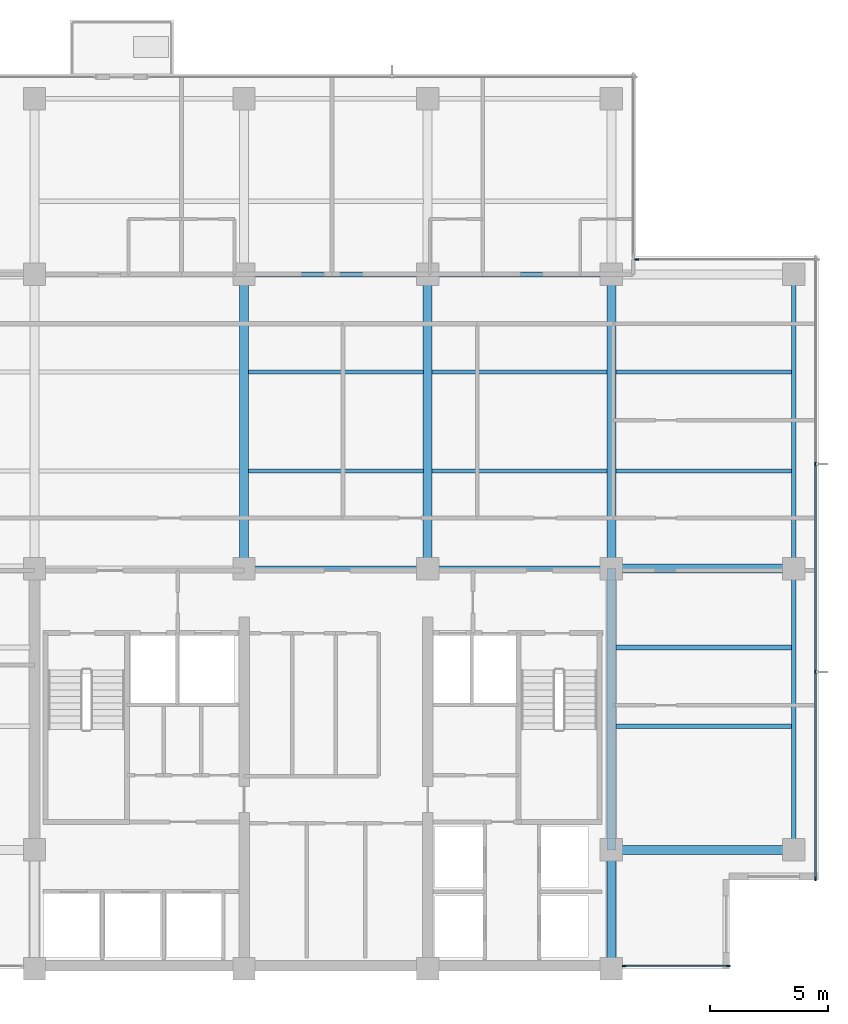
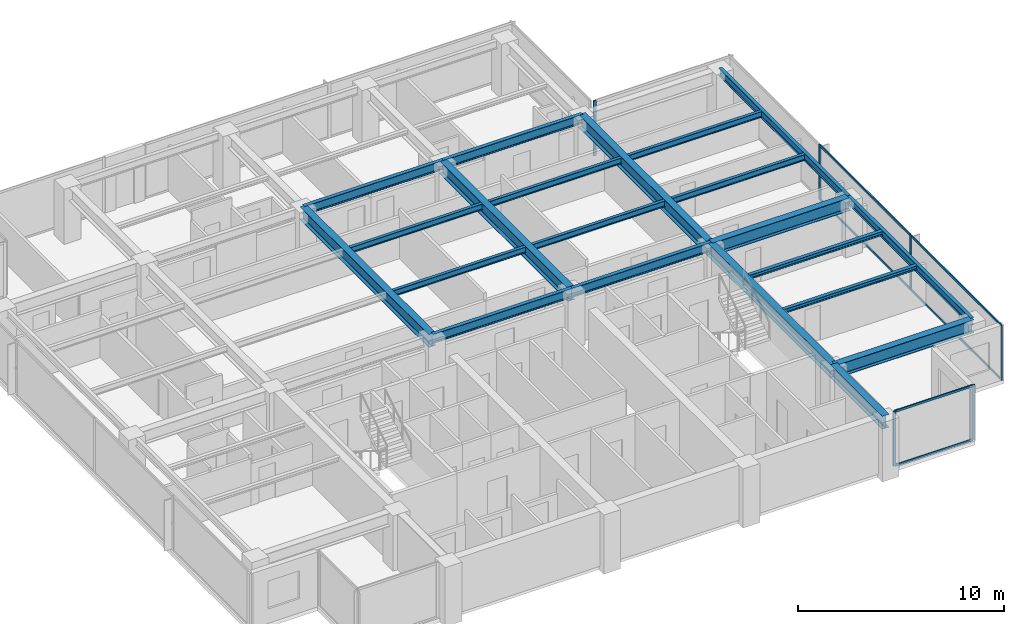
# One storey, part 3 of 14: 21 beams, 12 members, 3 elements without a shape of their own.
"""IFC4 building model written with IfcOpenShell, lengths in metres."""

from ifc_helpers import new_model, si_unit, direction, frame, origin, origin_2d, place, context, subcontext, project, spatial, rectangle, i_section, extrude, material, layer, layer_set, material_profile, profile_set, type_object, element, aggregate, save


model = new_model("IFC4")

# Units and contexts
model_context = context("Model", 3, precision=1e-05, world=origin(), true_north=direction((0.0, 1.0)))
body_context = subcontext(model_context, "Body", "Model", "MODEL_VIEW")
ifc_project = project(units=[si_unit("LENGTHUNIT", "METRE"), si_unit("AREAUNIT", "SQUARE_METRE"), si_unit("VOLUMEUNIT", "CUBIC_METRE"), si_unit("PLANEANGLEUNIT", "RADIAN"), si_unit("MASSUNIT", "GRAM", prefix="KILO")], contexts=[model_context])

# Site, building, storey
site_placement = place(None, origin())
site = spatial("IfcSite", under=ifc_project, at=site_placement, CompositionType="ELEMENT")
building_placement = place(site_placement, origin())
building = spatial("IfcBuilding", under=site, at=building_placement, Name="Qalmaran Belvedere Hotel", CompositionType="ELEMENT")
storey_placement = place(building_placement, frame((0.0, 0.0, 228.39990234375)))
storey = spatial("IfcBuildingStorey", under=building, at=storey_placement, Name="L58", CompositionType="ELEMENT", Elevation=228.39990234375)

# Beams
ifc_material_1 = material(Name="Steel S355JR", Category="steel")
ifc_material_profile_1 = material_profile(ifc_material_1, i_section(OverallWidth=0.201904296875, OverallDepth=0.2470703125, WebThickness=0.00732421875, FlangeThickness=0.010986328125, FilletRadius=0.011962890625, at=origin_2d()), Name="W250X49")
ifc_profile_set_1 = profile_set([ifc_material_profile_1], Name="Steel S355JR")
beam_type_1 = type_object("IfcBeamType", Name="BM-JST-W250X49", PredefinedType="JOIST", material=ifc_profile_set_1)
for number, where, z_axis, x_axis, name in (
    (1, (44.988525390625, 13.800048828125, 3.13671875), (1.0, 0.0, 0.0), (0.0, 1.0, 0.0), "L58 East Wing Joist 039"),
    (2, (44.988525390625, 17.14990234375, 3.13671875), (1.0, 0.0, 0.0), (0.0, 1.0, 0.0), "L58 East Wing Joist 041"),
):
    element("IfcBeam", number, at=place(storey_placement, frame(where, z_axis=z_axis, x_axis=x_axis)), inside=storey, type_object=beam_type_1, Name=name, PredefinedType="JOIST", context=body_context, shape_type="SweptSolid", body=[
        extrude(i_section(OverallWidth=0.201904296875, OverallDepth=0.2470703125, WebThickness=0.00732421875, FlangeThickness=0.010986328125, FilletRadius=0.011962890625, at=origin_2d()), origin(), (0.0, 0.0, 1.0), 7.467529296875),
    ])
ifc_material_profile_2 = material_profile(ifc_material_1, i_section(OverallWidth=0.381103515625, OverallDepth=0.77294921875, WebThickness=0.0166015625, FlangeThickness=0.027099609375, FilletRadius=0.02197265625, at=origin_2d()), Name="W760X257")
ifc_profile_set_2 = profile_set([ifc_material_profile_2], Name="Steel S355JR")
beam_type_2 = type_object("IfcBeamType", Name="BM-PG4-W760X257", PredefinedType="USERDEFINED", material=ifc_profile_set_2)
for number, where, z_axis, x_axis, name in (
    (3, (29.199951171875, 20.5, 2.87353515625), (0.0, 1.0, 0.0), (-1.0, 0.0, 0.0), "L58 Mid-Plate N-S Girder 16"),
    (4, (37.0, 20.5, 2.87353515625), (0.0, 1.0, 0.0), (-1.0, 0.0, 0.0), "L58 Mid-Plate N-S Girder 18"),
    (5, (44.800048828125, 20.5, 2.87353515625), (0.0, 1.0, 0.0), (-1.0, 0.0, 0.0), "L58 Mid-Plate N-S Girder 20"),
):
    element("IfcBeam", number, at=place(storey_placement, frame(where, z_axis=z_axis, x_axis=x_axis)), inside=storey, type_object=beam_type_2, Name=name, ObjectType="GIRDER", PredefinedType="USERDEFINED", context=body_context, shape_type="SweptSolid", body=[
        extrude(i_section(OverallWidth=0.381103515625, OverallDepth=0.77294921875, WebThickness=0.0166015625, FlangeThickness=0.027099609375, FilletRadius=0.02197265625, at=origin_2d()), origin(), (0.0, 0.0, 1.0), 12.5),
    ])
beam_1_placement = place(storey_placement, frame((44.800048828125, 3.5, 2.87353515625), z_axis=(0.0, 1.0, 0.0), x_axis=(-1.0, 0.0, 0.0)))
element("IfcBeam", 6, at=beam_1_placement, inside=storey, type_object=beam_type_2, Name="L58 East Core Edge Girder A", ObjectType="GIRDER", PredefinedType="USERDEFINED", context=body_context, shape_type="SweptSolid", body=[
    extrude(i_section(OverallWidth=0.381103515625, OverallDepth=0.77294921875, WebThickness=0.0166015625, FlangeThickness=0.027099609375, FilletRadius=0.02197265625, at=origin_2d()), origin(), (0.0, 0.0, 1.0), 5.050048828125),
])
beam_2_placement = place(storey_placement, frame((44.800048828125, 8.550048828125, 2.87353515625), z_axis=(0.0, 1.0, 0.0), x_axis=(-1.0, 0.0, 0.0)))
element("IfcBeam", 7, at=beam_2_placement, inside=storey, type_object=beam_type_2, Name="L58 East Core Edge Girder B", ObjectType="GIRDER", PredefinedType="USERDEFINED", context=body_context, shape_type="SweptSolid", body=[
    extrude(i_section(OverallWidth=0.381103515625, OverallDepth=0.77294921875, WebThickness=0.0166015625, FlangeThickness=0.027099609375, FilletRadius=0.02197265625, at=origin_2d()), origin(), (0.0, 0.0, 1.0), 11.949951171875),
])
for number, where, z_axis, x_axis, name in (
    (8, (44.800048828125, 8.550048828125, 2.87353515625), (1.0, 0.0, 0.0), (0.0, 1.0, 0.0), "L58 East Wing Girder 25"),
    (9, (44.800048828125, 20.5, 2.87353515625), (1.0, 0.0, 0.0), (0.0, 1.0, 0.0), "L58 East Wing Girder 26"),
):
    element("IfcBeam", number, at=place(storey_placement, frame(where, z_axis=z_axis, x_axis=x_axis)), inside=storey, type_object=beam_type_2, Name=name, ObjectType="GIRDER", PredefinedType="USERDEFINED", context=body_context, shape_type="SweptSolid", body=[
        extrude(i_section(OverallWidth=0.381103515625, OverallDepth=0.77294921875, WebThickness=0.0166015625, FlangeThickness=0.027099609375, FilletRadius=0.02197265625, at=origin_2d()), origin(), (0.0, 0.0, 1.0), 7.75),
    ])
ifc_material_profile_3 = material_profile(ifc_material_1, i_section(OverallWidth=0.172119140625, OverallDepth=0.35791015625, WebThickness=0.0078125, FlangeThickness=0.01318359375, FilletRadius=0.014892578125, at=origin_2d()), Name="W360X57")
ifc_profile_set_3 = profile_set([ifc_material_profile_3], Name="Steel S355JR")
beam_type_3 = type_object("IfcBeamType", Name="BM-SB4-W360X57", PredefinedType="BEAM", material=ifc_profile_set_3)
for number, where, z_axis, x_axis, name in (
    (10, (29.388427734375, 24.64990234375, 3.0810546875), (1.0, 0.0, 0.0), (0.0, 1.0, 0.0), "L58 Secondary Floor Beam 030"),
    (11, (37.1884765625, 24.64990234375, 3.0810546875), (1.0, 0.0, 0.0), (0.0, 1.0, 0.0), "L58 Secondary Floor Beam 031"),
):
    element("IfcBeam", number, at=place(storey_placement, frame(where, z_axis=z_axis, x_axis=x_axis)), inside=storey, type_object=beam_type_3, Name=name, PredefinedType="BEAM", context=body_context, shape_type="SweptSolid", body=[
        extrude(i_section(OverallWidth=0.172119140625, OverallDepth=0.35791015625, WebThickness=0.0078125, FlangeThickness=0.01318359375, FilletRadius=0.014892578125, at=origin_2d()), origin(), (0.0, 0.0, 1.0), 7.423095703125),
    ])
beam_3_placement = place(storey_placement, frame((44.988525390625, 24.64990234375, 3.0810546875), z_axis=(1.0, 0.0, 0.0), x_axis=(0.0, 1.0, 0.0)))
element("IfcBeam", 12, at=beam_3_placement, inside=storey, type_object=beam_type_3, Name="L58 East Secondary Beam 032", PredefinedType="BEAM", context=body_context, shape_type="SweptSolid", body=[
    extrude(i_section(OverallWidth=0.172119140625, OverallDepth=0.35791015625, WebThickness=0.0078125, FlangeThickness=0.01318359375, FilletRadius=0.014892578125, at=origin_2d()), origin(), (0.0, 0.0, 1.0), 7.467529296875),
])
for number, where, z_axis, x_axis, name in (
    (13, (29.388427734375, 28.85009765625, 3.0810546875), (1.0, 0.0, 0.0), (0.0, 1.0, 0.0), "L58 Secondary Floor Beam 035"),
    (14, (37.1884765625, 28.85009765625, 3.0810546875), (1.0, 0.0, 0.0), (0.0, 1.0, 0.0), "L58 Secondary Floor Beam 036"),
):
    element("IfcBeam", number, at=place(storey_placement, frame(where, z_axis=z_axis, x_axis=x_axis)), inside=storey, type_object=beam_type_3, Name=name, PredefinedType="BEAM", context=body_context, shape_type="SweptSolid", body=[
        extrude(i_section(OverallWidth=0.172119140625, OverallDepth=0.35791015625, WebThickness=0.0078125, FlangeThickness=0.01318359375, FilletRadius=0.014892578125, at=origin_2d()), origin(), (0.0, 0.0, 1.0), 7.423095703125),
    ])
beam_4_placement = place(storey_placement, frame((44.988525390625, 28.85009765625, 3.0810546875), z_axis=(1.0, 0.0, 0.0), x_axis=(0.0, 1.0, 0.0)))
element("IfcBeam", 15, at=beam_4_placement, inside=storey, type_object=beam_type_3, Name="L58 East Secondary Beam 037", PredefinedType="BEAM", context=body_context, shape_type="SweptSolid", body=[
    extrude(i_section(OverallWidth=0.172119140625, OverallDepth=0.35791015625, WebThickness=0.0078125, FlangeThickness=0.01318359375, FilletRadius=0.014892578125, at=origin_2d()), origin(), (0.0, 0.0, 1.0), 7.467529296875),
])
ifc_material_profile_4 = material_profile(ifc_material_1, i_section(OverallWidth=0.19189453125, OverallDepth=0.462890625, WebThickness=0.010498046875, FlangeThickness=0.017578125, FilletRadius=0.01611328125, at=origin_2d()), Name="W460X89")
ifc_profile_set_4 = profile_set([ifc_material_profile_4], Name="Steel S355JR")
beam_type_4 = type_object("IfcBeamType", Name="BM-SP2-W460X89", PredefinedType="SPANDREL", material=ifc_profile_set_4)
beam_5_placement = place(storey_placement, frame((52.550048828125, 8.550048828125, 3.028564453125), z_axis=(0.0, 1.0, 0.0), x_axis=(-1.0, 0.0, 0.0)))
element("IfcBeam", 16, at=beam_5_placement, inside=storey, type_object=beam_type_4, Name="L58 Perimeter Spandrel 03", PredefinedType="SPANDREL", context=body_context, shape_type="SweptSolid", body=[
    extrude(i_section(OverallWidth=0.19189453125, OverallDepth=0.462890625, WebThickness=0.010498046875, FlangeThickness=0.017578125, FilletRadius=0.01611328125, at=origin_2d()), origin(), (0.0, 0.0, 1.0), 11.949951171875),
])
beam_6_placement = place(storey_placement, frame((52.550048828125, 20.5, 3.028564453125), z_axis=(0.0, 1.0, 0.0), x_axis=(-1.0, 0.0, 0.0)))
element("IfcBeam", 17, at=beam_6_placement, inside=storey, type_object=beam_type_4, Name="L58 Perimeter Spandrel 04", PredefinedType="SPANDREL", context=body_context, shape_type="SweptSolid", body=[
    extrude(i_section(OverallWidth=0.19189453125, OverallDepth=0.462890625, WebThickness=0.010498046875, FlangeThickness=0.017578125, FilletRadius=0.01611328125, at=origin_2d()), origin(), (0.0, 0.0, 1.0), 12.5),
])
ifc_material_profile_5 = material_profile(ifc_material_1, i_section(OverallWidth=0.2109375, OverallDepth=0.5390625, WebThickness=0.01171875, FlangeThickness=0.018798828125, FilletRadius=0.01806640625, at=origin_2d()), Name="W530X109")
ifc_profile_set_5 = profile_set([ifc_material_profile_5], Name="Steel S355JR")
beam_type_5 = type_object("IfcBeamType", Name="BM-Z4-W530X109", PredefinedType="USERDEFINED", material=ifc_profile_set_5)
for number, where, z_axis, x_axis, name in (
    (18, (29.199951171875, 20.5, 2.990478515625), (1.0, 0.0, 0.0), (0.0, 1.0, 0.0), "L58 Interior E-W Girder 09"),
    (19, (37.0, 20.5, 2.990478515625), (1.0, 0.0, 0.0), (0.0, 1.0, 0.0), "L58 Interior E-W Girder 10"),
    (20, (29.199951171875, 33.0, 2.990478515625), (1.0, 0.0, 0.0), (0.0, 1.0, 0.0), "L58 Interior E-W Girder 12"),
    (21, (37.0, 33.0, 2.990478515625), (1.0, 0.0, 0.0), (0.0, 1.0, 0.0), "L58 Interior E-W Girder 13"),
):
    element("IfcBeam", number, at=place(storey_placement, frame(where, z_axis=z_axis, x_axis=x_axis)), inside=storey, type_object=beam_type_5, Name=name, ObjectType="GIRDER", PredefinedType="USERDEFINED", context=body_context, shape_type="SweptSolid", body=[
        extrude(i_section(OverallWidth=0.2109375, OverallDepth=0.5390625, WebThickness=0.01171875, FlangeThickness=0.018798828125, FilletRadius=0.01806640625, at=origin_2d()), origin(), (0.0, 0.0, 1.0), 7.800048828125),
    ])

# Curtain wall, members
ifc_material_2 = material(Name="Anodised Bronze Aluminium", Category="aluminium")
ifc_layer = layer(ifc_material_2, 0.18994140625, Name="Anodised Bronze Aluminium")
ifc_layer_set = layer_set([ifc_layer], Name="Anodised Bronze Aluminium")
curtain_wall_type = type_object("IfcCurtainWallType", Name="CW5-TOWER-UPPER", PredefinedType="NOTDEFINED", material=ifc_layer_set)
curtain_wall_1_placement = place(storey_placement, origin())
curtain_wall_1 = element("IfcCurtainWall", 22, at=curtain_wall_1_placement, inside=storey, type_object=curtain_wall_type, Name="L58 Curtain Wall CW5", PredefinedType="NOTDEFINED")
ifc_material_profile_6 = material_profile(ifc_material_2, rectangle(XDim=0.06494140625, YDim=0.1650390625, at=origin_2d()), Name="CWM65X165")
ifc_profile_set_6 = profile_set([ifc_material_profile_6], Name="Anodised Bronze Aluminium")
member_type_1 = type_object("IfcMemberType", Name="CWM-65X165", PredefinedType="MULLION", material=ifc_profile_set_6)
member_1_placement = place(storey_placement, frame((45.347412109375, 3.6201171875, 0.0), z_axis=(0.0, 0.0, 1.0), x_axis=(0.0, 1.0, 0.0)))
member_1 = element("IfcMember", 23, at=member_1_placement, type_object=member_type_1, Name="CW5 mullion 1", PredefinedType="MULLION", context=body_context, shape_type="SweptSolid", body=[
    extrude(rectangle(XDim=0.06494140625, YDim=0.1650390625, at=origin_2d()), origin(), (0.0, 0.0, 1.0), 3.260009765625),
])
member_2_placement = place(storey_placement, frame((49.767578125, 3.6201171875, 0.0), z_axis=(0.0, 0.0, 1.0), x_axis=(0.0, 1.0, 0.0)))
member_2 = element("IfcMember", 24, at=member_2_placement, type_object=member_type_1, Name="CW5 mullion 2", PredefinedType="MULLION", context=body_context, shape_type="SweptSolid", body=[
    extrude(rectangle(XDim=0.06494140625, YDim=0.1650390625, at=origin_2d()), origin(), (0.0, 0.0, 1.0), 3.260009765625),
])

curtain_wall_2_placement = place(storey_placement, origin())
curtain_wall_2 = element("IfcCurtainWall", 25, at=curtain_wall_2_placement, inside=storey, type_object=curtain_wall_type, Name="L58 Curtain Wall CW5", PredefinedType="NOTDEFINED")
member_3_placement = place(storey_placement, frame((53.47998046875, 7.33251953125, 0.0), z_axis=(0.0, 0.0, 1.0), x_axis=(-1.0, 0.0, 0.0)))
member_3 = element("IfcMember", 26, at=member_3_placement, type_object=member_type_1, Name="CW5 mullion 1", PredefinedType="MULLION", context=body_context, shape_type="SweptSolid", body=[
    extrude(rectangle(XDim=0.06494140625, YDim=0.1650390625, at=origin_2d()), origin(), (0.0, 0.0, 1.0), 3.260009765625),
])
member_4_placement = place(storey_placement, frame((53.47998046875, 16.11669921875, 0.0), z_axis=(0.0, 0.0, 1.0), x_axis=(-1.0, 0.0, 0.0)))
member_4 = element("IfcMember", 27, at=member_4_placement, type_object=member_type_1, Name="CW5 mullion 2", PredefinedType="MULLION", context=body_context, shape_type="SweptSolid", body=[
    extrude(rectangle(XDim=0.06494140625, YDim=0.1650390625, at=origin_2d()), origin(), (0.0, 0.0, 1.0), 3.260009765625),
])
member_5_placement = place(storey_placement, frame((53.47998046875, 24.933349609375, 0.0), z_axis=(0.0, 0.0, 1.0), x_axis=(-1.0, 0.0, 0.0)))
member_5 = element("IfcMember", 28, at=member_5_placement, type_object=member_type_1, Name="CW5 mullion 3", PredefinedType="MULLION", context=body_context, shape_type="SweptSolid", body=[
    extrude(rectangle(XDim=0.06494140625, YDim=0.1650390625, at=origin_2d()), origin(), (0.0, 0.0, 1.0), 3.260009765625),
])

# Curtain wall, member
curtain_wall_3_placement = place(storey_placement, origin())
curtain_wall_3 = element("IfcCurtainWall", 29, at=curtain_wall_3_placement, inside=storey, type_object=curtain_wall_type, Name="L58 Curtain Wall CW5", PredefinedType="NOTDEFINED")
member_6_placement = place(storey_placement, frame((45.882568359375, 33.6298828125, 0.0), z_axis=(0.0, 0.0, 1.0), x_axis=(0.0, -1.0, 0.0)))
member_6 = element("IfcMember", 30, at=member_6_placement, type_object=member_type_1, Name="CW5 mullion 2", PredefinedType="MULLION", context=body_context, shape_type="SweptSolid", body=[
    extrude(rectangle(XDim=0.06494140625, YDim=0.1650390625, at=origin_2d()), origin(), (0.0, 0.0, 1.0), 3.260009765625),
])
aggregate(curtain_wall_3, [member_6])

# Member
ifc_material_profile_7 = material_profile(ifc_material_2, rectangle(XDim=0.06494140625, YDim=0.1298828125, at=origin_2d()), Name="CWT65X130")
ifc_profile_set_7 = profile_set([ifc_material_profile_7], Name="Anodised Bronze Aluminium")
member_type_2 = type_object("IfcMemberType", Name="CWT-65X130", PredefinedType="USERDEFINED", material=ifc_profile_set_7)
member_7_placement = place(storey_placement, frame((45.3798828125, 3.6201171875, 0.03271484375), z_axis=(1.0, 0.0, 0.0), x_axis=(0.0, 1.0, 0.0)))
member_7 = element("IfcMember", 31, at=member_7_placement, type_object=member_type_2, Name="CW5 transom 1.1", ObjectType="TRANSOM", PredefinedType="USERDEFINED", context=body_context, shape_type="SweptSolid", body=[
    extrude(rectangle(XDim=0.06494140625, YDim=0.1298828125, at=origin_2d()), origin(), (0.0, 0.0, 1.0), 4.355224609375),
])

member_8_placement = place(storey_placement, frame((45.3798828125, 3.6201171875, 3.2275390625), z_axis=(1.0, 0.0, 0.0), x_axis=(0.0, 1.0, 0.0)))
member_8 = element("IfcMember", 32, at=member_8_placement, type_object=member_type_2, Name="CW5 transom 1.2", ObjectType="TRANSOM", PredefinedType="USERDEFINED", context=body_context, shape_type="SweptSolid", body=[
    extrude(rectangle(XDim=0.06494140625, YDim=0.1298828125, at=origin_2d()), origin(), (0.0, 0.0, 1.0), 4.355224609375),
])

aggregate(curtain_wall_1, [member_1, member_2, member_7, member_8])

member_9_placement = place(storey_placement, frame((53.47998046875, 7.364990234375, 0.03271484375), z_axis=(0.0, 1.0, 0.0), x_axis=(-1.0, 0.0, 0.0)))
member_9 = element("IfcMember", 33, at=member_9_placement, type_object=member_type_2, Name="CW5 transom 1.1", ObjectType="TRANSOM", PredefinedType="USERDEFINED", context=body_context, shape_type="SweptSolid", body=[
    extrude(rectangle(XDim=0.06494140625, YDim=0.1298828125, at=origin_2d()), origin(), (0.0, 0.0, 1.0), 8.71923828125),
])

member_10_placement = place(storey_placement, frame((53.47998046875, 7.364990234375, 3.2275390625), z_axis=(0.0, 1.0, 0.0), x_axis=(-1.0, 0.0, 0.0)))
member_10 = element("IfcMember", 34, at=member_10_placement, type_object=member_type_2, Name="CW5 transom 1.2", ObjectType="TRANSOM", PredefinedType="USERDEFINED", context=body_context, shape_type="SweptSolid", body=[
    extrude(rectangle(XDim=0.06494140625, YDim=0.1298828125, at=origin_2d()), origin(), (0.0, 0.0, 1.0), 8.71923828125),
])

member_11_placement = place(storey_placement, frame((53.47998046875, 16.149169921875, 0.03271484375), z_axis=(0.0, 1.0, 0.0), x_axis=(-1.0, 0.0, 0.0)))
member_11 = element("IfcMember", 35, at=member_11_placement, type_object=member_type_2, Name="CW5 transom 2.1", ObjectType="TRANSOM", PredefinedType="USERDEFINED", context=body_context, shape_type="SweptSolid", body=[
    extrude(rectangle(XDim=0.06494140625, YDim=0.1298828125, at=origin_2d()), origin(), (0.0, 0.0, 1.0), 8.751708984375),
])

member_12_placement = place(storey_placement, frame((53.47998046875, 16.149169921875, 3.2275390625), z_axis=(0.0, 1.0, 0.0), x_axis=(-1.0, 0.0, 0.0)))
member_12 = element("IfcMember", 36, at=member_12_placement, type_object=member_type_2, Name="CW5 transom 2.2", ObjectType="TRANSOM", PredefinedType="USERDEFINED", context=body_context, shape_type="SweptSolid", body=[
    extrude(rectangle(XDim=0.06494140625, YDim=0.1298828125, at=origin_2d()), origin(), (0.0, 0.0, 1.0), 8.751708984375),
])

aggregate(curtain_wall_2, [member_3, member_4, member_5, member_9, member_10, member_11, member_12])

save(model, "model.ifc")
